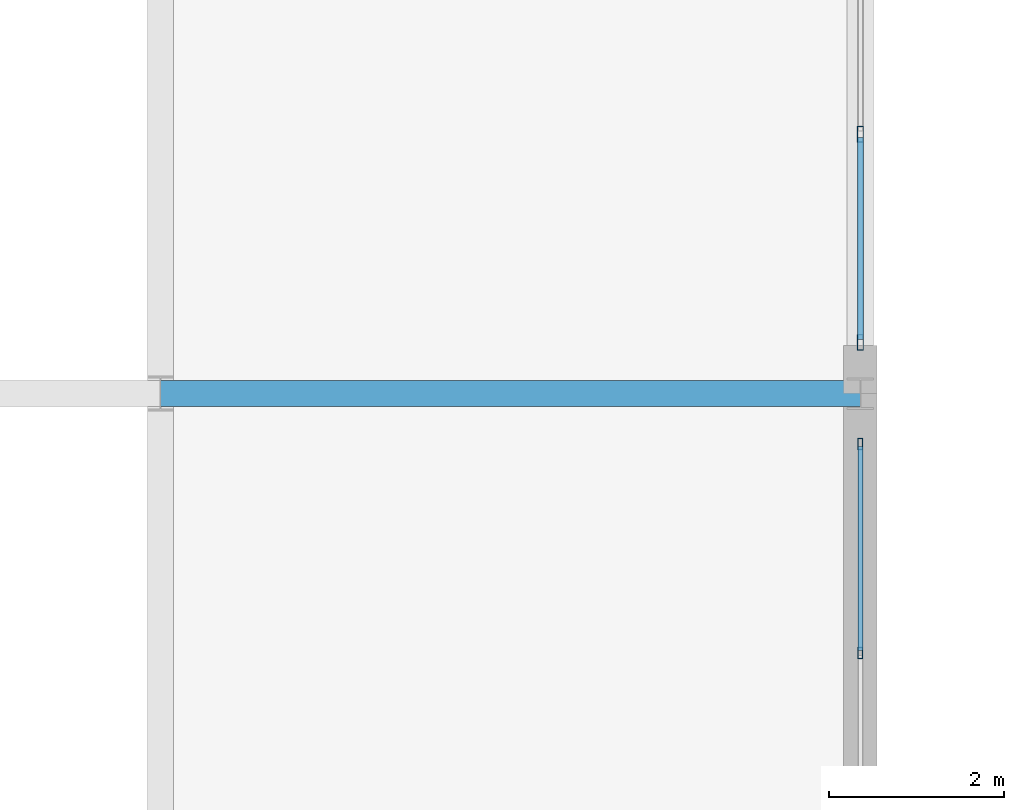
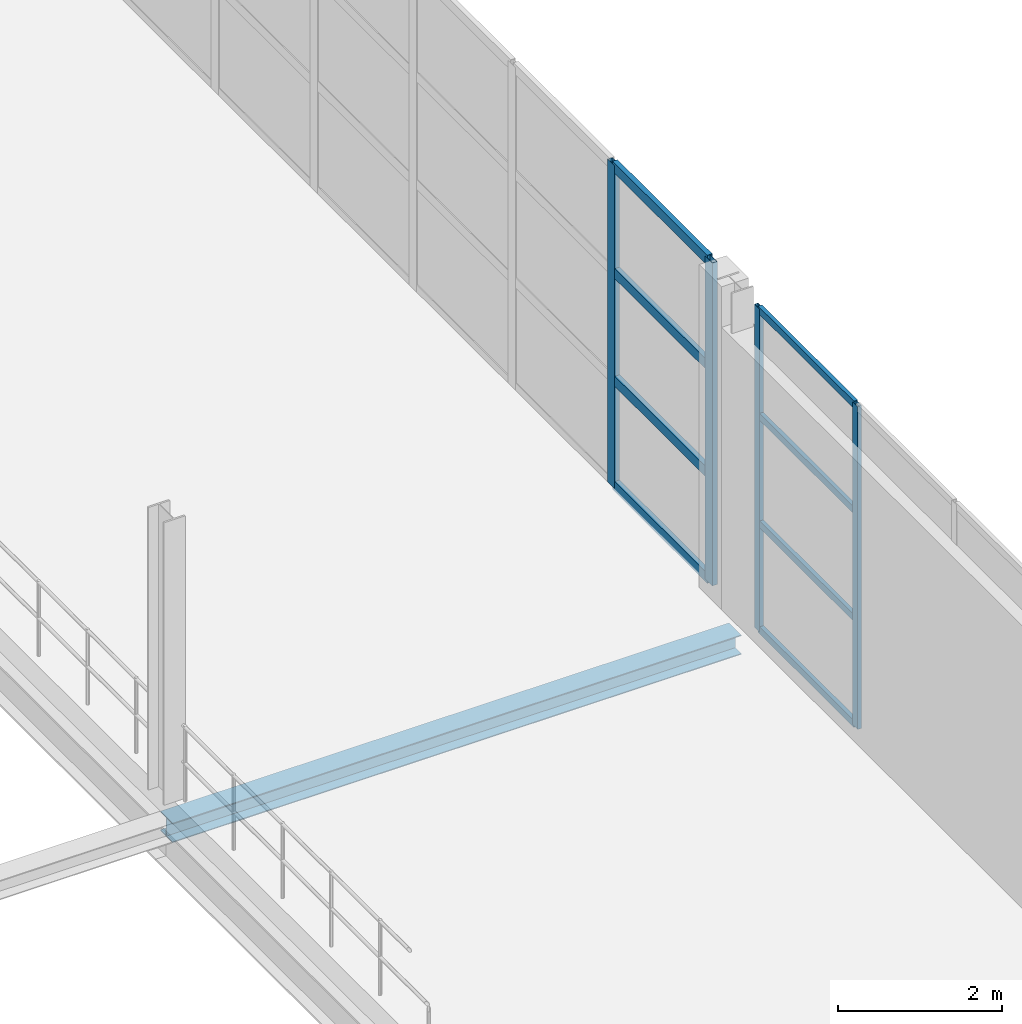
# One storey, part 52 of 147: 12 members, 1 beam, 2 elements without a shape of their own.
"""IFC4 building model written with IfcOpenShell, lengths in metres."""

from ifc_helpers import new_model, si_unit, direction, frame, origin, origin_2d, place, context, subcontext, project, spatial, hollow_rectangle, i_section, extrude, material, layer, layer_set, material_profile, profile_set, type_object, element, aggregate, save


model = new_model("IFC4")

# Units and contexts
model_context = context("Model", 3, precision=1e-05, world=origin(), true_north=direction((0.0, 1.0)))
body_context = subcontext(model_context, "Body", "Model", "MODEL_VIEW")
ifc_project = project(units=[si_unit("LENGTHUNIT", "METRE"), si_unit("AREAUNIT", "SQUARE_METRE"), si_unit("VOLUMEUNIT", "CUBIC_METRE"), si_unit("PLANEANGLEUNIT", "RADIAN"), si_unit("MASSUNIT", "GRAM", prefix="KILO")], contexts=[model_context])

# Site, building, storey
site_placement = place(None, origin())
site = spatial("IfcSite", under=ifc_project, at=site_placement, CompositionType="ELEMENT")
building_placement = place(site_placement, origin())
building = spatial("IfcBuilding", under=site, at=building_placement, Name="Zilviju Railside Exhibition Hall", CompositionType="ELEMENT")
storey_placement = place(building_placement, frame((0.0, 0.0, 8.39990234375)))
storey = spatial("IfcBuildingStorey", under=building, at=storey_placement, Name="L03", CompositionType="ELEMENT", Elevation=8.39990234375)

# Beam
ifc_material_1 = material(Name="Steel S355J2", Category="steel")
ifc_material_profile_1 = material_profile(ifc_material_1, i_section(OverallWidth=0.300048828125, OverallDepth=0.2900390625, WebThickness=0.008544921875, FlangeThickness=0.013916015625, at=origin_2d()), Name="HEA 300")
ifc_profile_set_1 = profile_set([ifc_material_profile_1], Name="Steel S355J2")
beam_type = type_object("IfcBeamType", Name="BM-HEA300", PredefinedType="SPANDREL", material=ifc_profile_set_1)
beam_placement = place(storey_placement, frame((70.0, 36.0, -0.494873046875), z_axis=(1.0, 0.0, 0.0), x_axis=(0.0, 1.0, 0.0)))
element("IfcBeam", 1, at=beam_placement, inside=storey, type_object=beam_type, Name="Primary Girder L03 Y=36.0 (70.0..78.0)", PredefinedType="SPANDREL", context=body_context, shape_type="SweptSolid", body=[
    extrude(i_section(OverallWidth=0.300048828125, OverallDepth=0.2900390625, WebThickness=0.008544921875, FlangeThickness=0.013916015625, at=origin_2d()), origin(), (0.0, 0.0, 1.0), 8.0),
])

# Curtain wall, members
ifc_material_2 = material(Name="Thermally broken aluminium-steel triple-glazed curtain wall", Category="steel")
ifc_layer_1 = layer(ifc_material_2, 0.179931640625)
ifc_layer_set_1 = layer_set([ifc_layer_1], Name="Thermally broken aluminium-steel triple-glazed curtain wall")
curtain_wall_type_1 = type_object("IfcCurtainWallType", Name="CW-BAY-20", PredefinedType="USERDEFINED", material=ifc_layer_set_1)
curtain_wall_1_placement = place(storey_placement, origin())
curtain_wall_1 = element("IfcCurtainWall", 2, at=curtain_wall_1_placement, inside=storey, type_object=curtain_wall_type_1, Name="South Hall West Upper Glazed Gable (18..36)", ObjectType="GLAZED CURTAIN WALL", PredefinedType="USERDEFINED")
ifc_material_3 = material(Name="Thermally broken anodized aluminium mullion", Category="aluminium")
ifc_material_profile_2 = material_profile(ifc_material_3, hollow_rectangle(XDim=0.054931640625, YDim=0.1298828125, WallThickness=0.0048828125, at=origin_2d()), Name="MULLION 130x55x5")
ifc_profile_set_2 = profile_set([ifc_material_profile_2], Name="Thermally broken anodized aluminium mullion")
member_type_1 = type_object("IfcMemberType", Name="CWM-55x130", PredefinedType="MULLION", material=ifc_profile_set_2)
member_1_placement = place(storey_placement, frame((78.0, 33.03564453125, 0.0), z_axis=(0.0, 0.0, 1.0), x_axis=(-1.0, 0.0, 0.0)))
member_1 = element("IfcMember", 3, at=member_1_placement, type_object=member_type_1, Name="CW-20 mullion 7", PredefinedType="MULLION", context=body_context, shape_type="SweptSolid", body=[
    extrude(hollow_rectangle(XDim=0.054931640625, YDim=0.1298828125, WallThickness=0.0048828125, at=origin_2d()), origin(), (0.0, 0.0, 1.0), 4.800048828125),
])
member_2_placement = place(storey_placement, frame((78.0, 35.422607421875, 0.0), z_axis=(0.0, 0.0, 1.0), x_axis=(-1.0, 0.0, 0.0)))
member_2 = element("IfcMember", 4, at=member_2_placement, type_object=member_type_1, Name="CW-20 mullion 8", PredefinedType="MULLION", context=body_context, shape_type="SweptSolid", body=[
    extrude(hollow_rectangle(XDim=0.054931640625, YDim=0.1298828125, WallThickness=0.0048828125, at=origin_2d()), origin(), (0.0, 0.0, 1.0), 4.800048828125),
])

ifc_layer_2 = layer(ifc_material_2, 0.179931640625)
ifc_layer_set_2 = layer_set([ifc_layer_2], Name="Thermally broken aluminium-steel triple-glazed curtain wall")
curtain_wall_type_2 = type_object("IfcCurtainWallType", Name="CW-BAY-01", PredefinedType="USERDEFINED", material=ifc_layer_set_2)
curtain_wall_2_placement = place(storey_placement, origin())
curtain_wall_2 = element("IfcCurtainWall", 5, at=curtain_wall_2_placement, inside=storey, type_object=curtain_wall_type_2, Name="South Hall West Upper Glazed Gable (36..54)", ObjectType="GLAZED CURTAIN WALL", PredefinedType="USERDEFINED")
ifc_material_profile_3 = material_profile(ifc_material_3, hollow_rectangle(XDim=0.070068359375, YDim=0.179931640625, WallThickness=0.0048828125, at=origin_2d()), Name="MULLION 180x70x5")
ifc_profile_set_3 = profile_set([ifc_material_profile_3], Name="Thermally broken anodized aluminium mullion")
member_type_2 = type_object("IfcMemberType", Name="CWM-70x180", PredefinedType="MULLION", material=ifc_profile_set_3)
member_3_placement = place(storey_placement, frame((78.0, 36.5849609375, 0.0), z_axis=(0.0, 0.0, 1.0), x_axis=(-1.0, 0.0, 0.0)))
member_3 = element("IfcMember", 6, at=member_3_placement, type_object=member_type_2, Name="CW-01 mullion 1", PredefinedType="MULLION", context=body_context, shape_type="SweptSolid", body=[
    extrude(hollow_rectangle(XDim=0.070068359375, YDim=0.179931640625, WallThickness=0.0048828125, at=origin_2d()), origin(), (0.0, 0.0, 1.0), 4.800048828125),
])
member_4_placement = place(storey_placement, frame((78.0, 38.96435546875, 0.0), z_axis=(0.0, 0.0, 1.0), x_axis=(-1.0, 0.0, 0.0)))
member_4 = element("IfcMember", 7, at=member_4_placement, type_object=member_type_2, Name="CW-01 mullion 2", PredefinedType="MULLION", context=body_context, shape_type="SweptSolid", body=[
    extrude(hollow_rectangle(XDim=0.070068359375, YDim=0.179931640625, WallThickness=0.0048828125, at=origin_2d()), origin(), (0.0, 0.0, 1.0), 4.800048828125),
])

# Member
ifc_material_4 = material(Name="Thermally broken anodized aluminium transom", Category="aluminium")
ifc_material_profile_4 = material_profile(ifc_material_4, hollow_rectangle(XDim=0.054931640625, YDim=0.10498046875, WallThickness=0.0048828125, at=origin_2d()), Name="TRANSOM 105x55x5")
ifc_profile_set_4 = profile_set([ifc_material_profile_4], Name="Thermally broken anodized aluminium transom")
member_type_3 = type_object("IfcMemberType", Name="CWT-55x105", PredefinedType="USERDEFINED", material=ifc_profile_set_4)
member_5_placement = place(storey_placement, frame((78.0, 33.063232421875, 0.027587890625), z_axis=(0.0, 1.0, 0.0), x_axis=(-1.0, 0.0, 0.0)))
member_5 = element("IfcMember", 8, at=member_5_placement, type_object=member_type_3, Name="CW-20 transom 7.1", ObjectType="TRANSOM", PredefinedType="USERDEFINED", context=body_context, shape_type="SweptSolid", body=[
    extrude(hollow_rectangle(XDim=0.054931640625, YDim=0.10498046875, WallThickness=0.0048828125, at=origin_2d()), origin(), (0.0, 0.0, 1.0), 2.331787109375),
])

member_6_placement = place(storey_placement, frame((78.0, 33.063232421875, 1.60009765625), z_axis=(0.0, 1.0, 0.0), x_axis=(-1.0, 0.0, 0.0)))
member_6 = element("IfcMember", 9, at=member_6_placement, type_object=member_type_3, Name="CW-20 transom 7.2", ObjectType="TRANSOM", PredefinedType="USERDEFINED", context=body_context, shape_type="SweptSolid", body=[
    extrude(hollow_rectangle(XDim=0.054931640625, YDim=0.10498046875, WallThickness=0.0048828125, at=origin_2d()), origin(), (0.0, 0.0, 1.0), 2.331787109375),
])

member_7_placement = place(storey_placement, frame((78.0, 33.063232421875, 3.2001953125), z_axis=(0.0, 1.0, 0.0), x_axis=(-1.0, 0.0, 0.0)))
member_7 = element("IfcMember", 10, at=member_7_placement, type_object=member_type_3, Name="CW-20 transom 7.3", ObjectType="TRANSOM", PredefinedType="USERDEFINED", context=body_context, shape_type="SweptSolid", body=[
    extrude(hollow_rectangle(XDim=0.054931640625, YDim=0.10498046875, WallThickness=0.0048828125, at=origin_2d()), origin(), (0.0, 0.0, 1.0), 2.331787109375),
])

member_8_placement = place(storey_placement, frame((78.0, 33.063232421875, 4.772705078125), z_axis=(0.0, 1.0, 0.0), x_axis=(-1.0, 0.0, 0.0)))
member_8 = element("IfcMember", 11, at=member_8_placement, type_object=member_type_3, Name="CW-20 transom 7.4", ObjectType="TRANSOM", PredefinedType="USERDEFINED", context=body_context, shape_type="SweptSolid", body=[
    extrude(hollow_rectangle(XDim=0.054931640625, YDim=0.10498046875, WallThickness=0.0048828125, at=origin_2d()), origin(), (0.0, 0.0, 1.0), 2.331787109375),
])

aggregate(curtain_wall_1, [member_1, member_2, member_5, member_6, member_7, member_8])

ifc_material_profile_5 = material_profile(ifc_material_4, hollow_rectangle(XDim=0.070068359375, YDim=0.14990234375, WallThickness=0.0048828125, at=origin_2d()), Name="TRANSOM 150x70x5")
ifc_profile_set_5 = profile_set([ifc_material_profile_5], Name="Thermally broken anodized aluminium transom")
member_type_4 = type_object("IfcMemberType", Name="CWT-70x150", PredefinedType="USERDEFINED", material=ifc_profile_set_5)
member_9_placement = place(storey_placement, frame((78.0, 36.6201171875, 0.03515625), z_axis=(0.0, 1.0, 0.0), x_axis=(-1.0, 0.0, 0.0)))
member_9 = element("IfcMember", 12, at=member_9_placement, type_object=member_type_4, Name="CW-01 transom 1.1", ObjectType="TRANSOM", PredefinedType="USERDEFINED", context=body_context, shape_type="SweptSolid", body=[
    extrude(hollow_rectangle(XDim=0.070068359375, YDim=0.14990234375, WallThickness=0.0048828125, at=origin_2d()), origin(), (0.0, 0.0, 1.0), 2.30908203125),
])

member_10_placement = place(storey_placement, frame((78.0, 36.6201171875, 1.60009765625), z_axis=(0.0, 1.0, 0.0), x_axis=(-1.0, 0.0, 0.0)))
member_10 = element("IfcMember", 13, at=member_10_placement, type_object=member_type_4, Name="CW-01 transom 1.2", ObjectType="TRANSOM", PredefinedType="USERDEFINED", context=body_context, shape_type="SweptSolid", body=[
    extrude(hollow_rectangle(XDim=0.070068359375, YDim=0.14990234375, WallThickness=0.0048828125, at=origin_2d()), origin(), (0.0, 0.0, 1.0), 2.30908203125),
])

member_11_placement = place(storey_placement, frame((78.0, 36.6201171875, 3.2001953125), z_axis=(0.0, 1.0, 0.0), x_axis=(-1.0, 0.0, 0.0)))
member_11 = element("IfcMember", 14, at=member_11_placement, type_object=member_type_4, Name="CW-01 transom 1.3", ObjectType="TRANSOM", PredefinedType="USERDEFINED", context=body_context, shape_type="SweptSolid", body=[
    extrude(hollow_rectangle(XDim=0.070068359375, YDim=0.14990234375, WallThickness=0.0048828125, at=origin_2d()), origin(), (0.0, 0.0, 1.0), 2.30908203125),
])

member_12_placement = place(storey_placement, frame((78.0, 36.6201171875, 4.76513671875), z_axis=(0.0, 1.0, 0.0), x_axis=(-1.0, 0.0, 0.0)))
member_12 = element("IfcMember", 15, at=member_12_placement, type_object=member_type_4, Name="CW-01 transom 1.4", ObjectType="TRANSOM", PredefinedType="USERDEFINED", context=body_context, shape_type="SweptSolid", body=[
    extrude(hollow_rectangle(XDim=0.070068359375, YDim=0.14990234375, WallThickness=0.0048828125, at=origin_2d()), origin(), (0.0, 0.0, 1.0), 2.30908203125),
])

aggregate(curtain_wall_2, [member_3, member_4, member_9, member_10, member_11, member_12])

save(model, "model.ifc")
